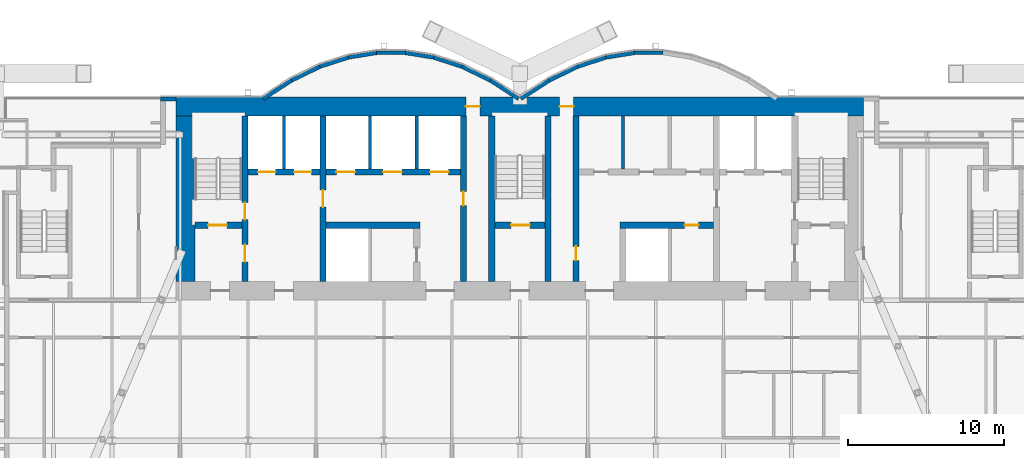
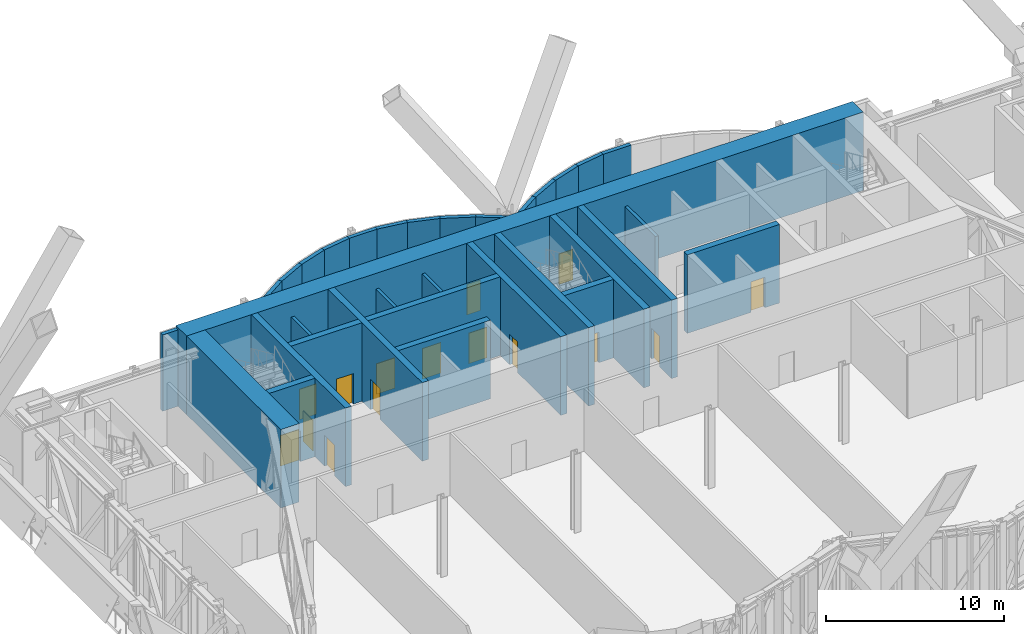
# One storey, part 27 of 32: 32 walls, 15 doors, 15 openings.
"""IFC4 building model written with IfcOpenShell, lengths in metres."""

from ifc_helpers import new_model, si_unit, direction, frame, frame_2d, origin, place, context, subcontext, project, spatial, rectangle, extrude, material, layer, layer_set, layer_usage, type_object, element, fill, save


model = new_model("IFC4")

# Units and contexts
model_context = context("Model", 3, precision=1e-05, world=origin(), true_north=direction((0.0, 1.0)))
body_context = subcontext(model_context, "Body", "Model", "MODEL_VIEW")
ifc_project = project(units=[si_unit("LENGTHUNIT", "METRE"), si_unit("AREAUNIT", "SQUARE_METRE"), si_unit("VOLUMEUNIT", "CUBIC_METRE"), si_unit("PLANEANGLEUNIT", "RADIAN"), si_unit("MASSUNIT", "GRAM", prefix="KILO")], contexts=[model_context])

# Site, building, storey
site_placement = place(None, origin())
site = spatial("IfcSite", under=ifc_project, at=site_placement, CompositionType="ELEMENT")
building_placement = place(site_placement, origin())
building = spatial("IfcBuilding", under=site, at=building_placement, Name="Bicima Exchange Tower", CompositionType="ELEMENT")
storey_placement = place(building_placement, frame((0.0, 0.0, 84.5)))
storey = spatial("IfcBuildingStorey", under=building, at=storey_placement, Name="L17", CompositionType="ELEMENT", Elevation=84.5)

# Walls
ifc_material_1 = material(Name="Gypsum board partition")
ifc_layer_1 = layer(ifc_material_1, 0.199951171875)
ifc_layer_set_1 = layer_set([ifc_layer_1], Name="Gypsum board partition")
wall_type_1 = type_object("IfcWallType", Name="Fire-rated gypsum partition 200 EI120", PredefinedType="PARTITIONING", material=ifc_layer_set_1)
for number, where, z_axis, x_axis, name in (
    (1, (-15.10009765625, -4.60009765625, 0.0), (0.0, 0.0, 1.0), (0.0, 1.0, 0.0), "partition wall 9"),
    (2, (-9.60009765625, -4.60009765625, 0.0), (0.0, 0.0, 1.0), (0.0, 1.0, 0.0), "partition wall 12"),
    (3, (-6.60009765625, -4.60009765625, 0.0), (0.0, 0.0, 1.0), (0.0, 1.0, 0.0), "partition wall 14"),
):
    element("IfcWall", number, at=place(storey_placement, frame(where, z_axis=z_axis, x_axis=x_axis)), inside=storey, type_object=wall_type_1, Name=name, PredefinedType="PARTITIONING", context=body_context, shape_type="SweptSolid", body=[
        extrude(rectangle(XDim=3.400146484375, YDim=0.199951171875, at=frame_2d((1.7001953125, 0.0))), origin(), (0.0, 0.0, 1.0), 4.318115234375),
    ])
ifc_layer_2 = layer(ifc_material_1, 0.199951171875)
ifc_layer_set_2 = layer_set([ifc_layer_2], Name="Gypsum board partition")
wall_type_2 = type_object("IfcWallType", Name="Fire-rated gypsum partition 200 EI60", PredefinedType="PARTITIONING", material=ifc_layer_set_2)
wall_1_placement = place(storey_placement, frame((6.60009765625, -4.60009765625, 0.0), z_axis=(0.0, 0.0, 1.0), x_axis=(0.0, 1.0, 0.0)))
element("IfcWall", 4, at=wall_1_placement, inside=storey, type_object=wall_type_2, Name="partition wall 20", PredefinedType="PARTITIONING", context=body_context, shape_type="SweptSolid", body=[
    extrude(rectangle(XDim=3.400146484375, YDim=0.199951171875, at=frame_2d((1.7001953125, 0.0))), origin(), (0.0, 0.0, 1.0), 4.318115234375),
])

# Wall, openings, doors
ifc_material_2 = material(Name="Concrete C60/75", Category="concrete")
ifc_layer_3 = layer(ifc_material_2, 1.199951171875)
ifc_layer_set_3 = layer_set([ifc_layer_3], Name="Concrete C60/75")
wall_type_3 = type_object("IfcWallType", Name="RC core wall 1200 C60/75", PredefinedType="SHEAR", material=ifc_layer_set_3)
wall_2_placement = place(storey_placement, frame((-22.0, -0.60009765625, 0.0), z_axis=(0.0, 0.0, 1.0), x_axis=(1.0, 0.0, 0.0)))
wall_2 = element("IfcWall", 5, at=wall_2_placement, inside=storey, type_object=wall_type_3, Name="Core wall north", PredefinedType="SHEAR", context=body_context, shape_type="SweptSolid", body=[
    extrude(rectangle(XDim=44.0, YDim=1.199951171875, at=frame_2d((22.0, 0.0))), origin(), (0.0, 0.0, 1.0), 5.39990234375),
])
opening_1_placement = place(wall_2_placement, frame((18.550048828125, 0.0, 0.0)))
opening_1 = element("IfcOpeningElement", 6, at=opening_1_placement, cuts=wall_2, Name="Opening L17-C17", PredefinedType="OPENING", context=body_context, shape_type="SweptSolid", body=[
    extrude(rectangle(XDim=0.89990234375, YDim=2.10009765625, at=frame_2d((0.449951171875, 1.050048828125))), frame((0.0, 0.61181640625, 0.0), z_axis=(0.0, -1.0, 0.0), x_axis=(1.0, 0.0, 0.0)), (0.0, 0.0, 1.0), 1.223876953125),
])
opening_2_placement = place(wall_2_placement, frame((24.550048828125, 0.0, 0.0)))
opening_2 = element("IfcOpeningElement", 7, at=opening_2_placement, cuts=wall_2, Name="Opening L17-C18", PredefinedType="OPENING", context=body_context, shape_type="SweptSolid", body=[
    extrude(rectangle(XDim=0.89990234375, YDim=2.10009765625, at=frame_2d((0.449951171875, 1.050048828125))), frame((0.0, 0.61181640625, 0.0), z_axis=(0.0, -1.0, 0.0), x_axis=(1.0, 0.0, 0.0)), (0.0, 0.0, 1.0), 1.223876953125),
])
ifc_material_3 = material(Name="Steel fire door leaf", Category="steel")
door_type_1 = type_object("IfcDoorType", Name="Door 900 swing FD30S", OperationType="SINGLE_SWING_LEFT", PredefinedType="DOOR", material=ifc_material_3)
door_1_placement = place(opening_1_placement, origin())
door_1 = element("IfcDoor", 8, at=door_1_placement, inside=storey, type_object=door_type_1, Name="Core door", OperationType="SINGLE_SWING_LEFT", OverallHeight=2.10009765625, OverallWidth=0.89990234375, PredefinedType="DOOR", context=body_context, shape_type="SweptSolid", body=[
    extrude(rectangle(XDim=0.89990234375, YDim=2.10009765625, at=frame_2d((0.449951171875, 1.050048828125))), frame((0.0, 0.02490234375, 0.0), z_axis=(0.0, -1.0, 0.0), x_axis=(1.0, 0.0, 0.0)), (0.0, 0.0, 1.0), 0.050048828125),
])
fill(opening_1, door_1)
door_2_placement = place(opening_2_placement, origin())
door_2 = element("IfcDoor", 9, at=door_2_placement, inside=storey, type_object=door_type_1, Name="Core door", OperationType="SINGLE_SWING_LEFT", OverallHeight=2.10009765625, OverallWidth=0.89990234375, PredefinedType="DOOR", context=body_context, shape_type="SweptSolid", body=[
    extrude(rectangle(XDim=0.89990234375, YDim=2.10009765625, at=frame_2d((0.449951171875, 1.050048828125))), frame((0.0, 0.02490234375, 0.0), z_axis=(0.0, -1.0, 0.0), x_axis=(1.0, 0.0, 0.0)), (0.0, 0.0, 1.0), 0.050048828125),
])
fill(opening_2, door_2)

# Wall
wall_3_placement = place(storey_placement, frame((-21.39990234375, -11.800048828125, 0.0), z_axis=(0.0, 0.0, 1.0), x_axis=(0.0, 1.0, 0.0)))
element("IfcWall", 10, at=wall_3_placement, inside=storey, type_object=wall_type_3, Name="Core wall west", PredefinedType="SHEAR", context=body_context, shape_type="SweptSolid", body=[
    extrude(rectangle(XDim=10.60009765625, YDim=1.199951171875, at=frame_2d((5.300048828125, 0.0))), origin(), (0.0, 0.0, 1.0), 5.39990234375),
])

# Wall, opening, door
ifc_material_4 = material(Name="Concrete C50/60", Category="concrete")
ifc_layer_4 = layer(ifc_material_4, 0.39990234375)
ifc_layer_set_4 = layer_set([ifc_layer_4], Name="Concrete C50/60")
wall_type_4 = type_object("IfcWallType", Name="RC core wall 400 C50/60", PredefinedType="SHEAR", material=ifc_layer_set_4)
wall_4_placement = place(storey_placement, frame((-20.800048828125, -8.199951171875, 0.0), z_axis=(0.0, 0.0, 1.0), x_axis=(1.0, 0.0, 0.0)))
wall_4 = element("IfcWall", 11, at=wall_4_placement, inside=storey, type_object=wall_type_4, Name="stair wall 1", PredefinedType="SHEAR", context=body_context, shape_type="SweptSolid", body=[
    extrude(rectangle(XDim=3.0, YDim=0.39990234375, at=frame_2d((1.5, 0.0))), origin(), (0.0, 0.0, 1.0), 5.39990234375),
])
opening_3_placement = place(wall_4_placement, frame((0.85009765625, 0.0, 0.0)))
opening_3 = element("IfcOpeningElement", 12, at=opening_3_placement, cuts=wall_4, Name="Opening L17-C01", PredefinedType="OPENING", context=body_context, shape_type="SweptSolid", body=[
    extrude(rectangle(XDim=1.199951171875, YDim=2.10009765625, at=frame_2d((0.60009765625, 1.050048828125))), frame((0.0, 0.2119140625, 0.0), z_axis=(0.0, -1.0, 0.0), x_axis=(1.0, 0.0, 0.0)), (0.0, 0.0, 1.0), 0.423828125),
])
door_type_2 = type_object("IfcDoorType", Name="Door 1200 swing FD60S", OperationType="SINGLE_SWING_LEFT", PredefinedType="DOOR", material=ifc_material_3)
door_3_placement = place(opening_3_placement, origin())
door_3 = element("IfcDoor", 13, at=door_3_placement, inside=storey, type_object=door_type_2, Name="Core door", OperationType="SINGLE_SWING_LEFT", OverallHeight=2.10009765625, OverallWidth=1.199951171875, PredefinedType="DOOR", context=body_context, shape_type="SweptSolid", body=[
    extrude(rectangle(XDim=1.199951171875, YDim=2.10009765625, at=frame_2d((0.60009765625, 1.050048828125))), frame((0.0, 0.02490234375, 0.0), z_axis=(0.0, -1.0, 0.0), x_axis=(1.0, 0.0, 0.0)), (0.0, 0.0, 1.0), 0.050048828125),
])
fill(opening_3, door_3)

wall_5_placement = place(storey_placement, frame((-1.60009765625, -8.199951171875, 0.0), z_axis=(0.0, 0.0, 1.0), x_axis=(1.0, 0.0, 0.0)))
wall_5 = element("IfcWall", 14, at=wall_5_placement, inside=storey, type_object=wall_type_4, Name="stair wall 3", PredefinedType="SHEAR", context=body_context, shape_type="SweptSolid", body=[
    extrude(rectangle(XDim=3.2001953125, YDim=0.39990234375, at=frame_2d((1.60009765625, 0.0))), origin(), (0.0, 0.0, 1.0), 5.39990234375),
])
opening_4_placement = place(wall_5_placement, frame((1.050048828125, 0.0, 0.0)))
opening_4 = element("IfcOpeningElement", 15, at=opening_4_placement, cuts=wall_5, Name="Opening L17-C03", PredefinedType="OPENING", context=body_context, shape_type="SweptSolid", body=[
    extrude(rectangle(XDim=1.199951171875, YDim=2.10009765625, at=frame_2d((0.60009765625, 1.050048828125))), frame((0.0, 0.2119140625, 0.0), z_axis=(0.0, -1.0, 0.0), x_axis=(1.0, 0.0, 0.0)), (0.0, 0.0, 1.0), 0.423828125),
])
door_4_placement = place(opening_4_placement, origin())
door_4 = element("IfcDoor", 16, at=door_4_placement, inside=storey, type_object=door_type_2, Name="Core door", OperationType="SINGLE_SWING_LEFT", OverallHeight=2.10009765625, OverallWidth=1.199951171875, PredefinedType="DOOR", context=body_context, shape_type="SweptSolid", body=[
    extrude(rectangle(XDim=1.199951171875, YDim=2.10009765625, at=frame_2d((0.60009765625, 1.050048828125))), frame((0.0, 0.02490234375, 0.0), z_axis=(0.0, -1.0, 0.0), x_axis=(1.0, 0.0, 0.0)), (0.0, 0.0, 1.0), 0.050048828125),
])
fill(opening_4, door_4)

# Wall, openings, doors
wall_6_placement = place(storey_placement, frame((-17.60009765625, -11.800048828125, 0.0), z_axis=(0.0, 0.0, 1.0), x_axis=(0.0, 1.0, 0.0)))
wall_6 = element("IfcWall", 17, at=wall_6_placement, inside=storey, type_object=wall_type_4, Name="stair wall 8", PredefinedType="SHEAR", context=body_context, shape_type="SweptSolid", body=[
    extrude(rectangle(XDim=10.60009765625, YDim=0.39990234375, at=frame_2d((5.300048828125, 0.0))), origin(), (0.0, 0.0, 1.0), 5.39990234375),
])
opening_5_placement = place(wall_6_placement, frame((1.25, 0.0, 0.0)))
opening_5 = element("IfcOpeningElement", 18, at=opening_5_placement, cuts=wall_6, Name="Opening L17-C02", PredefinedType="OPENING", context=body_context, shape_type="SweptSolid", body=[
    extrude(rectangle(XDim=1.10009765625, YDim=2.10009765625, at=frame_2d((0.550048828125, 1.050048828125))), frame((0.0, 0.2119140625, 0.0), z_axis=(0.0, -1.0, 0.0), x_axis=(1.0, 0.0, 0.0)), (0.0, 0.0, 1.0), 0.423828125),
])
opening_6_placement = place(wall_6_placement, frame((3.949951171875, 0.0, 0.0)))
opening_6 = element("IfcOpeningElement", 19, at=opening_6_placement, cuts=wall_6, Name="Opening L17-C06", PredefinedType="OPENING", context=body_context, shape_type="SweptSolid", body=[
    extrude(rectangle(XDim=1.10009765625, YDim=2.10009765625, at=frame_2d((0.550048828125, 1.050048828125))), frame((0.0, 0.2119140625, 0.0), z_axis=(0.0, -1.0, 0.0), x_axis=(1.0, 0.0, 0.0)), (0.0, 0.0, 1.0), 0.423828125),
])
door_type_3 = type_object("IfcDoorType", Name="Door 1100 swing FD60S", OperationType="SINGLE_SWING_LEFT", PredefinedType="DOOR", material=ifc_material_3)
door_5_placement = place(opening_5_placement, frame((1.10009765625, 0.0, 0.0), z_axis=(0.0, 0.0, 1.0), x_axis=(-1.0, 0.0, 0.0)))
door_5 = element("IfcDoor", 20, at=door_5_placement, inside=storey, type_object=door_type_3, Name="Core door", OperationType="SINGLE_SWING_LEFT", OverallHeight=2.10009765625, OverallWidth=1.10009765625, PredefinedType="DOOR", context=body_context, shape_type="SweptSolid", body=[
    extrude(rectangle(XDim=1.10009765625, YDim=2.10009765625, at=frame_2d((0.550048828125, 1.050048828125))), frame((0.0, 0.02490234375, 0.0), z_axis=(0.0, -1.0, 0.0), x_axis=(1.0, 0.0, 0.0)), (0.0, 0.0, 1.0), 0.050048828125),
])
fill(opening_5, door_5)
door_6_placement = place(opening_6_placement, frame((1.10009765625, 0.0, 0.0), z_axis=(0.0, 0.0, 1.0), x_axis=(-1.0, 0.0, 0.0)))
door_6 = element("IfcDoor", 21, at=door_6_placement, inside=storey, type_object=door_type_3, Name="Core door", OperationType="SINGLE_SWING_LEFT", OverallHeight=2.10009765625, OverallWidth=1.10009765625, PredefinedType="DOOR", context=body_context, shape_type="SweptSolid", body=[
    extrude(rectangle(XDim=1.10009765625, YDim=2.10009765625, at=frame_2d((0.550048828125, 1.050048828125))), frame((0.0, 0.02490234375, 0.0), z_axis=(0.0, -1.0, 0.0), x_axis=(1.0, 0.0, 0.0)), (0.0, 0.0, 1.0), 0.050048828125),
])
fill(opening_6, door_6)

# Walls
for number, where, z_axis, x_axis, name in (
    (22, (-1.800048828125, -11.800048828125, 0.0), (0.0, 0.0, 1.0), (0.0, 1.0, 0.0), "stair wall 16"),
    (23, (1.800048828125, -11.800048828125, 0.0), (0.0, 0.0, 1.0), (0.0, 1.0, 0.0), "stair wall 17"),
):
    element("IfcWall", number, at=place(storey_placement, frame(where, z_axis=z_axis, x_axis=x_axis)), inside=storey, type_object=wall_type_4, Name=name, PredefinedType="SHEAR", context=body_context, shape_type="SweptSolid", body=[
        extrude(rectangle(XDim=10.60009765625, YDim=0.39990234375, at=frame_2d((5.300048828125, 0.0))), origin(), (0.0, 0.0, 1.0), 5.39990234375),
    ])
ifc_layer_5 = layer(ifc_material_2, 0.39990234375)
ifc_layer_set_5 = layer_set([ifc_layer_5], Name="Concrete C60/75")
wall_type_5 = type_object("IfcWallType", Name="RC core wall 400 C60/75", PredefinedType="SHEAR", material=ifc_layer_set_5)
wall_7_placement = place(storey_placement, frame((-12.39990234375, -8.199951171875, 0.0), z_axis=(0.0, 0.0, 1.0), x_axis=(1.0, 0.0, 0.0)))
element("IfcWall", 24, at=wall_7_placement, inside=storey, type_object=wall_type_5, Name="shear wall 2", PredefinedType="SHEAR", context=body_context, shape_type="SweptSolid", body=[
    extrude(rectangle(XDim=6.0, YDim=0.39990234375, at=frame_2d((3.0, 0.0))), origin(), (0.0, 0.0, 1.0), 5.39990234375),
])

# Wall, opening, door
wall_8_placement = place(storey_placement, frame((6.39990234375, -8.199951171875, 0.0), z_axis=(0.0, 0.0, 1.0), x_axis=(1.0, 0.0, 0.0)))
wall_8 = element("IfcWall", 25, at=wall_8_placement, inside=storey, type_object=wall_type_5, Name="shear wall 4", PredefinedType="SHEAR", context=body_context, shape_type="SweptSolid", body=[
    extrude(rectangle(XDim=6.0, YDim=0.39990234375, at=frame_2d((3.0, 0.0))), origin(), (0.0, 0.0, 1.0), 5.39990234375),
])
opening_7_placement = place(wall_8_placement, frame((4.14990234375, 0.0, 0.0)))
opening_7 = element("IfcOpeningElement", 26, at=opening_7_placement, cuts=wall_8, Name="Opening L17-C16", PredefinedType="OPENING", context=body_context, shape_type="SweptSolid", body=[
    extrude(rectangle(XDim=0.89990234375, YDim=2.10009765625, at=frame_2d((0.449951171875, 1.050048828125))), frame((0.0, 0.2119140625, 0.0), z_axis=(0.0, -1.0, 0.0), x_axis=(1.0, 0.0, 0.0)), (0.0, 0.0, 1.0), 0.423828125),
])
door_7_placement = place(opening_7_placement, frame((0.89990234375, 0.0, 0.0), z_axis=(0.0, 0.0, 1.0), x_axis=(-1.0, 0.0, 0.0)))
door_7 = element("IfcDoor", 27, at=door_7_placement, inside=storey, type_object=door_type_1, Name="Core door", OperationType="SINGLE_SWING_LEFT", OverallHeight=2.10009765625, OverallWidth=0.89990234375, PredefinedType="DOOR", context=body_context, shape_type="SweptSolid", body=[
    extrude(rectangle(XDim=0.89990234375, YDim=2.10009765625, at=frame_2d((0.449951171875, 1.050048828125))), frame((0.0, 0.02490234375, 0.0), z_axis=(0.0, -1.0, 0.0), x_axis=(1.0, 0.0, 0.0)), (0.0, 0.0, 1.0), 0.050048828125),
])
fill(opening_7, door_7)

# Wall, openings, doors
wall_9_placement = place(storey_placement, frame((-17.39990234375, -4.800048828125, 0.0), z_axis=(0.0, 0.0, 1.0), x_axis=(1.0, 0.0, 0.0)))
wall_9 = element("IfcWall", 28, at=wall_9_placement, inside=storey, type_object=wall_type_5, Name="shear wall 6", PredefinedType="SHEAR", context=body_context, shape_type="SweptSolid", body=[
    extrude(rectangle(XDim=13.599853515625, YDim=0.39990234375, at=frame_2d((6.7998046875, 0.0))), origin(), (0.0, 0.0, 1.0), 5.39990234375),
])
opening_8_placement = place(wall_9_placement, frame((0.64990234375, 0.0, 0.0)))
opening_8 = element("IfcOpeningElement", 29, at=opening_8_placement, cuts=wall_9, Name="Opening LD-FF1-L17", PredefinedType="OPENING", context=body_context, shape_type="SweptSolid", body=[
    extrude(rectangle(XDim=1.10009765625, YDim=2.10009765625, at=frame_2d((0.550048828125, 1.050048828125))), frame((0.0, 0.2119140625, 0.0), z_axis=(0.0, -1.0, 0.0), x_axis=(1.0, 0.0, 0.0)), (0.0, 0.0, 1.0), 0.423828125),
])
opening_9_placement = place(wall_9_placement, frame((2.949951171875, 0.0, 0.0)))
opening_9 = element("IfcOpeningElement", 30, at=opening_9_placement, cuts=wall_9, Name="Opening LD-FF3-L17", PredefinedType="OPENING", context=body_context, shape_type="SweptSolid", body=[
    extrude(rectangle(XDim=1.10009765625, YDim=2.10009765625, at=frame_2d((0.550048828125, 1.050048828125))), frame((0.0, 0.2119140625, 0.0), z_axis=(0.0, -1.0, 0.0), x_axis=(1.0, 0.0, 0.0)), (0.0, 0.0, 1.0), 0.423828125),
])
opening_10_placement = place(wall_9_placement, frame((5.64990234375, 0.0, 0.0)))
opening_10 = element("IfcOpeningElement", 31, at=opening_10_placement, cuts=wall_9, Name="Opening LD-LB1-L17", PredefinedType="OPENING", context=body_context, shape_type="SweptSolid", body=[
    extrude(rectangle(XDim=1.199951171875, YDim=2.10009765625, at=frame_2d((0.60009765625, 1.050048828125))), frame((0.0, 0.2119140625, 0.0), z_axis=(0.0, -1.0, 0.0), x_axis=(1.0, 0.0, 0.0)), (0.0, 0.0, 1.0), 0.423828125),
])
opening_11_placement = place(wall_9_placement, frame((8.64990234375, 0.0, 0.0)))
opening_11 = element("IfcOpeningElement", 32, at=opening_11_placement, cuts=wall_9, Name="Opening LD-LB2-L17", PredefinedType="OPENING", context=body_context, shape_type="SweptSolid", body=[
    extrude(rectangle(XDim=1.199951171875, YDim=2.10009765625, at=frame_2d((0.60009765625, 1.050048828125))), frame((0.0, 0.2119140625, 0.0), z_axis=(0.0, -1.0, 0.0), x_axis=(1.0, 0.0, 0.0)), (0.0, 0.0, 1.0), 0.423828125),
])
opening_12_placement = place(wall_9_placement, frame((11.64990234375, 0.0, 0.0)))
opening_12 = element("IfcOpeningElement", 33, at=opening_12_placement, cuts=wall_9, Name="Opening LD-LB3-L17", PredefinedType="OPENING", context=body_context, shape_type="SweptSolid", body=[
    extrude(rectangle(XDim=1.199951171875, YDim=2.10009765625, at=frame_2d((0.60009765625, 1.050048828125))), frame((0.0, 0.2119140625, 0.0), z_axis=(0.0, -1.0, 0.0), x_axis=(1.0, 0.0, 0.0)), (0.0, 0.0, 1.0), 0.423828125),
])
ifc_material_5 = material(Name="Stainless steel", Category="steel")
door_type_4 = type_object("IfcDoorType", Name="Lift landing door 1100 sliding", OperationType="DOUBLE_DOOR_SLIDING", PredefinedType="DOOR", material=ifc_material_5)
door_8_placement = place(opening_8_placement, origin())
door_8 = element("IfcDoor", 34, at=door_8_placement, inside=storey, type_object=door_type_4, Name="Lift landing door FF1", OperationType="DOUBLE_DOOR_SLIDING", OverallHeight=2.10009765625, OverallWidth=1.10009765625, PredefinedType="DOOR", context=body_context, shape_type="SweptSolid", body=[
    extrude(rectangle(XDim=1.10009765625, YDim=2.10009765625, at=frame_2d((0.550048828125, 1.050048828125))), frame((0.0, 0.02490234375, 0.0), z_axis=(0.0, -1.0, 0.0), x_axis=(1.0, 0.0, 0.0)), (0.0, 0.0, 1.0), 0.050048828125),
])
fill(opening_8, door_8)
door_9_placement = place(opening_9_placement, origin())
door_9 = element("IfcDoor", 35, at=door_9_placement, inside=storey, type_object=door_type_4, Name="Lift landing door FF3", OperationType="DOUBLE_DOOR_SLIDING", OverallHeight=2.10009765625, OverallWidth=1.10009765625, PredefinedType="DOOR", context=body_context, shape_type="SweptSolid", body=[
    extrude(rectangle(XDim=1.10009765625, YDim=2.10009765625, at=frame_2d((0.550048828125, 1.050048828125))), frame((0.0, 0.02490234375, 0.0), z_axis=(0.0, -1.0, 0.0), x_axis=(1.0, 0.0, 0.0)), (0.0, 0.0, 1.0), 0.050048828125),
])
fill(opening_9, door_9)
door_type_5 = type_object("IfcDoorType", Name="Lift landing door 1200 sliding", OperationType="DOUBLE_DOOR_SLIDING", PredefinedType="DOOR", material=ifc_material_5)
door_10_placement = place(opening_10_placement, origin())
door_10 = element("IfcDoor", 36, at=door_10_placement, inside=storey, type_object=door_type_5, Name="Lift landing door LB1", OperationType="DOUBLE_DOOR_SLIDING", OverallHeight=2.10009765625, OverallWidth=1.199951171875, PredefinedType="DOOR", context=body_context, shape_type="SweptSolid", body=[
    extrude(rectangle(XDim=1.199951171875, YDim=2.10009765625, at=frame_2d((0.60009765625, 1.050048828125))), frame((0.0, 0.02490234375, 0.0), z_axis=(0.0, -1.0, 0.0), x_axis=(1.0, 0.0, 0.0)), (0.0, 0.0, 1.0), 0.050048828125),
])
fill(opening_10, door_10)
door_11_placement = place(opening_11_placement, origin())
door_11 = element("IfcDoor", 37, at=door_11_placement, inside=storey, type_object=door_type_5, Name="Lift landing door LB2", OperationType="DOUBLE_DOOR_SLIDING", OverallHeight=2.10009765625, OverallWidth=1.199951171875, PredefinedType="DOOR", context=body_context, shape_type="SweptSolid", body=[
    extrude(rectangle(XDim=1.199951171875, YDim=2.10009765625, at=frame_2d((0.60009765625, 1.050048828125))), frame((0.0, 0.02490234375, 0.0), z_axis=(0.0, -1.0, 0.0), x_axis=(1.0, 0.0, 0.0)), (0.0, 0.0, 1.0), 0.050048828125),
])
fill(opening_11, door_11)
door_12_placement = place(opening_12_placement, origin())
door_12 = element("IfcDoor", 38, at=door_12_placement, inside=storey, type_object=door_type_5, Name="Lift landing door LB3", OperationType="DOUBLE_DOOR_SLIDING", OverallHeight=2.10009765625, OverallWidth=1.199951171875, PredefinedType="DOOR", context=body_context, shape_type="SweptSolid", body=[
    extrude(rectangle(XDim=1.199951171875, YDim=2.10009765625, at=frame_2d((0.60009765625, 1.050048828125))), frame((0.0, 0.02490234375, 0.0), z_axis=(0.0, -1.0, 0.0), x_axis=(1.0, 0.0, 0.0)), (0.0, 0.0, 1.0), 0.050048828125),
])
fill(opening_12, door_12)

# Wall, opening, door
wall_10_placement = place(storey_placement, frame((-12.60009765625, -11.800048828125, 0.0), z_axis=(0.0, 0.0, 1.0), x_axis=(0.0, 1.0, 0.0)))
wall_10 = element("IfcWall", 39, at=wall_10_placement, inside=storey, type_object=wall_type_5, Name="shear wall 10", PredefinedType="SHEAR", context=body_context, shape_type="SweptSolid", body=[
    extrude(rectangle(XDim=10.60009765625, YDim=0.39990234375, at=frame_2d((5.300048828125, 0.0))), origin(), (0.0, 0.0, 1.0), 5.39990234375),
])
opening_13_placement = place(wall_10_placement, frame((4.75, 0.0, 0.0)))
opening_13 = element("IfcOpeningElement", 40, at=opening_13_placement, cuts=wall_10, Name="Opening L17-C07", PredefinedType="OPENING", context=body_context, shape_type="SweptSolid", body=[
    extrude(rectangle(XDim=1.10009765625, YDim=2.10009765625, at=frame_2d((0.550048828125, 1.050048828125))), frame((0.0, 0.2119140625, 0.0), z_axis=(0.0, -1.0, 0.0), x_axis=(1.0, 0.0, 0.0)), (0.0, 0.0, 1.0), 0.423828125),
])
door_13_placement = place(opening_13_placement, origin())
door_13 = element("IfcDoor", 41, at=door_13_placement, inside=storey, type_object=door_type_3, Name="Core door", OperationType="SINGLE_SWING_LEFT", OverallHeight=2.10009765625, OverallWidth=1.10009765625, PredefinedType="DOOR", context=body_context, shape_type="SweptSolid", body=[
    extrude(rectangle(XDim=1.10009765625, YDim=2.10009765625, at=frame_2d((0.550048828125, 1.050048828125))), frame((0.0, 0.02490234375, 0.0), z_axis=(0.0, -1.0, 0.0), x_axis=(1.0, 0.0, 0.0)), (0.0, 0.0, 1.0), 0.050048828125),
])
fill(opening_13, door_13)

wall_11_placement = place(storey_placement, frame((-3.60009765625, -11.800048828125, 0.0), z_axis=(0.0, 0.0, 1.0), x_axis=(0.0, 1.0, 0.0)))
wall_11 = element("IfcWall", 42, at=wall_11_placement, inside=storey, type_object=wall_type_5, Name="shear wall 15", PredefinedType="SHEAR", context=body_context, shape_type="SweptSolid", body=[
    extrude(rectangle(XDim=10.60009765625, YDim=0.39990234375, at=frame_2d((5.300048828125, 0.0))), origin(), (0.0, 0.0, 1.0), 5.39990234375),
])
opening_14_placement = place(wall_11_placement, frame((4.85009765625, 0.0, 0.0)))
opening_14 = element("IfcOpeningElement", 43, at=opening_14_placement, cuts=wall_11, Name="Opening L17-C10", PredefinedType="OPENING", context=body_context, shape_type="SweptSolid", body=[
    extrude(rectangle(XDim=0.89990234375, YDim=2.10009765625, at=frame_2d((0.449951171875, 1.050048828125))), frame((0.0, 0.2119140625, 0.0), z_axis=(0.0, -1.0, 0.0), x_axis=(1.0, 0.0, 0.0)), (0.0, 0.0, 1.0), 0.423828125),
])
door_14_placement = place(opening_14_placement, frame((0.89990234375, 0.0, 0.0), z_axis=(0.0, 0.0, 1.0), x_axis=(-1.0, 0.0, 0.0)))
door_14 = element("IfcDoor", 44, at=door_14_placement, inside=storey, type_object=door_type_1, Name="Core door", OperationType="SINGLE_SWING_LEFT", OverallHeight=2.10009765625, OverallWidth=0.89990234375, PredefinedType="DOOR", context=body_context, shape_type="SweptSolid", body=[
    extrude(rectangle(XDim=0.89990234375, YDim=2.10009765625, at=frame_2d((0.449951171875, 1.050048828125))), frame((0.0, 0.02490234375, 0.0), z_axis=(0.0, -1.0, 0.0), x_axis=(1.0, 0.0, 0.0)), (0.0, 0.0, 1.0), 0.050048828125),
])
fill(opening_14, door_14)

wall_12_placement = place(storey_placement, frame((3.60009765625, -11.800048828125, 0.0), z_axis=(0.0, 0.0, 1.0), x_axis=(0.0, 1.0, 0.0)))
wall_12 = element("IfcWall", 45, at=wall_12_placement, inside=storey, type_object=wall_type_5, Name="shear wall 18", PredefinedType="SHEAR", context=body_context, shape_type="SweptSolid", body=[
    extrude(rectangle(XDim=10.60009765625, YDim=0.39990234375, at=frame_2d((5.300048828125, 0.0))), origin(), (0.0, 0.0, 1.0), 5.39990234375),
])
opening_15_placement = place(wall_12_placement, frame((1.35009765625, 0.0, 0.0)))
opening_15 = element("IfcOpeningElement", 46, at=opening_15_placement, cuts=wall_12, Name="Opening L17-C11", PredefinedType="OPENING", context=body_context, shape_type="SweptSolid", body=[
    extrude(rectangle(XDim=0.89990234375, YDim=2.10009765625, at=frame_2d((0.449951171875, 1.050048828125))), frame((0.0, 0.2119140625, 0.0), z_axis=(0.0, -1.0, 0.0), x_axis=(1.0, 0.0, 0.0)), (0.0, 0.0, 1.0), 0.423828125),
])
door_15_placement = place(opening_15_placement, origin())
door_15 = element("IfcDoor", 47, at=door_15_placement, inside=storey, type_object=door_type_1, Name="Core door", OperationType="SINGLE_SWING_LEFT", OverallHeight=2.10009765625, OverallWidth=0.89990234375, PredefinedType="DOOR", context=body_context, shape_type="SweptSolid", body=[
    extrude(rectangle(XDim=0.89990234375, YDim=2.10009765625, at=frame_2d((0.449951171875, 1.050048828125))), frame((0.0, 0.02490234375, 0.0), z_axis=(0.0, -1.0, 0.0), x_axis=(1.0, 0.0, 0.0)), (0.0, 0.0, 1.0), 0.050048828125),
])
fill(opening_15, door_15)

# Walls
ifc_material_6 = material(Name="Concrete C40/50", Category="concrete")
ifc_layer_6 = layer(ifc_material_6, 0.25)
ifc_layer_set_6 = layer_set([ifc_layer_6], Name="Concrete C40/50")
ifc_layer_usage = layer_usage(ifc_layer_set_6, "AXIS2", "POSITIVE", -0.125)
wall_type_6 = type_object("IfcWallType", Name="Rear backup wall 250", PredefinedType="STANDARD", material=ifc_layer_set_6)
wall_13_placement = place(storey_placement, frame((9.166748046875, 2.837890625, 0.0), z_axis=(0.0, 0.0, 1.0), x_axis=(-1.0, 0.0, 0.0)))
element("IfcWall", 48, at=wall_13_placement, inside=storey, type_object=wall_type_6, material=ifc_layer_usage, Name="Rear backup wall L17 12", PredefinedType="STANDARD", context=body_context, shape_type="SweptSolid", body=[
    extrude(rectangle(XDim=1.83349609375, YDim=0.25, at=frame_2d((0.916748046875, 0.0))), origin(), (0.0, 0.0, 1.0), 5.25),
])
wall_14_placement = place(storey_placement, frame((7.353271484375, 2.839599609375, 0.0), z_axis=(0.0, 0.0, 1.0), x_axis=(-0.987181718931, -0.159600293885, 0.0)))
element("IfcWall", 49, at=wall_14_placement, inside=storey, type_object=wall_type_6, material=ifc_layer_usage, Name="Rear backup wall L17 13", PredefinedType="STANDARD", context=body_context, shape_type="SweptSolid", body=[
    extrude(rectangle(XDim=1.857177734375, YDim=0.25, at=frame_2d((0.9287109375, 0.0))), origin(), (0.0, 0.0, 1.0), 5.25),
])
wall_15_placement = place(storey_placement, frame((5.538330078125, 2.5478515625, 0.0), z_axis=(0.0, 0.0, 1.0), x_axis=(-0.951495806175, -0.307661714928, 0.0)))
element("IfcWall", 50, at=wall_15_placement, inside=storey, type_object=wall_type_6, material=ifc_layer_usage, Name="Rear backup wall L17 14", PredefinedType="STANDARD", context=body_context, shape_type="SweptSolid", body=[
    extrude(rectangle(XDim=1.9267578125, YDim=0.25, at=frame_2d((0.96337890625, 0.0))), origin(), (0.0, 0.0, 1.0), 5.25),
])
wall_16_placement = place(storey_placement, frame((3.72119140625, 1.961669921875, 0.0), z_axis=(0.0, 0.0, 1.0), x_axis=(-0.89982408427, -0.436252928206, 0.0)))
element("IfcWall", 51, at=wall_16_placement, inside=storey, type_object=wall_type_6, material=ifc_layer_usage, Name="Rear backup wall L17 15", PredefinedType="STANDARD", context=body_context, shape_type="SweptSolid", body=[
    extrude(rectangle(XDim=2.03759765625, YDim=0.25, at=frame_2d((1.018798828125, 0.0))), origin(), (0.0, 0.0, 1.0), 5.25),
])
for number, where, z_axis, x_axis, name in (
    (52, (1.901123046875, 1.080078125, 0.0), (0.0, 0.0, 1.0), (-0.83981312244, -0.542875602121, 0.0), "Rear backup wall L17 16"),
    (53, (-0.06787109375, -0.10498046875, 0.0), (0.0, 0.0, 1.0), (-0.83981312244, 0.542875602121, 0.0), "Rear backup wall L17 17"),
):
    element("IfcWall", number, at=place(storey_placement, frame(where, z_axis=z_axis, x_axis=x_axis)), inside=storey, type_object=wall_type_6, material=ifc_layer_usage, Name=name, PredefinedType="STANDARD", context=body_context, shape_type="SweptSolid", body=[
        extrude(rectangle(XDim=2.182861328125, YDim=0.25, at=frame_2d((1.09130859375, 0.0))), origin(), (0.0, 0.0, 1.0), 5.25),
    ])
wall_17_placement = place(storey_placement, frame((-1.8876953125, 1.07275390625, 0.0), z_axis=(0.0, 0.0, 1.0), x_axis=(-0.89982408427, 0.436252928206, 0.0)))
element("IfcWall", 54, at=wall_17_placement, inside=storey, type_object=wall_type_6, material=ifc_layer_usage, Name="Rear backup wall L17 18", PredefinedType="STANDARD", context=body_context, shape_type="SweptSolid", body=[
    extrude(rectangle(XDim=2.03759765625, YDim=0.25, at=frame_2d((1.018798828125, 0.0))), origin(), (0.0, 0.0, 1.0), 5.25),
])
wall_18_placement = place(storey_placement, frame((-3.705078125, 1.955078125, 0.0), z_axis=(0.0, 0.0, 1.0), x_axis=(-0.951495806175, 0.307661714928, 0.0)))
element("IfcWall", 55, at=wall_18_placement, inside=storey, type_object=wall_type_6, material=ifc_layer_usage, Name="Rear backup wall L17 19", PredefinedType="STANDARD", context=body_context, shape_type="SweptSolid", body=[
    extrude(rectangle(XDim=1.9267578125, YDim=0.25, at=frame_2d((0.96337890625, 0.0))), origin(), (0.0, 0.0, 1.0), 5.25),
])
wall_19_placement = place(storey_placement, frame((-5.52001953125, 2.543212890625, 0.0), z_axis=(0.0, 0.0, 1.0), x_axis=(-0.987181718931, 0.159600293885, 0.0)))
element("IfcWall", 56, at=wall_19_placement, inside=storey, type_object=wall_type_6, material=ifc_layer_usage, Name="Rear backup wall L17 20", PredefinedType="STANDARD", context=body_context, shape_type="SweptSolid", body=[
    extrude(rectangle(XDim=1.857177734375, YDim=0.25, at=frame_2d((0.9287109375, 0.0))), origin(), (0.0, 0.0, 1.0), 5.25),
])
wall_20_placement = place(storey_placement, frame((-7.333251953125, 2.837890625, 0.0), z_axis=(0.0, 0.0, 1.0), x_axis=(-1.0, 0.0, 0.0)))
element("IfcWall", 57, at=wall_20_placement, inside=storey, type_object=wall_type_6, material=ifc_layer_usage, Name="Rear backup wall L17 21", PredefinedType="STANDARD", context=body_context, shape_type="SweptSolid", body=[
    extrude(rectangle(XDim=1.83349609375, YDim=0.25, at=frame_2d((0.916748046875, 0.0))), origin(), (0.0, 0.0, 1.0), 5.25),
])
wall_21_placement = place(storey_placement, frame((-9.146728515625, 2.839599609375, 0.0), z_axis=(0.0, 0.0, 1.0), x_axis=(-0.987181718931, -0.159600293885, 0.0)))
element("IfcWall", 58, at=wall_21_placement, inside=storey, type_object=wall_type_6, material=ifc_layer_usage, Name="Rear backup wall L17 22", PredefinedType="STANDARD", context=body_context, shape_type="SweptSolid", body=[
    extrude(rectangle(XDim=1.857177734375, YDim=0.25, at=frame_2d((0.9287109375, 0.0))), origin(), (0.0, 0.0, 1.0), 5.25),
])
wall_22_placement = place(storey_placement, frame((-10.961669921875, 2.5478515625, 0.0), z_axis=(0.0, 0.0, 1.0), x_axis=(-0.951495806175, -0.307661714928, 0.0)))
element("IfcWall", 59, at=wall_22_placement, inside=storey, type_object=wall_type_6, material=ifc_layer_usage, Name="Rear backup wall L17 23", PredefinedType="STANDARD", context=body_context, shape_type="SweptSolid", body=[
    extrude(rectangle(XDim=1.9267578125, YDim=0.25, at=frame_2d((0.96337890625, 0.0))), origin(), (0.0, 0.0, 1.0), 5.25),
])
wall_23_placement = place(storey_placement, frame((-12.77880859375, 1.961669921875, 0.0), z_axis=(0.0, 0.0, 1.0), x_axis=(-0.89982408427, -0.436252928206, 0.0)))
element("IfcWall", 60, at=wall_23_placement, inside=storey, type_object=wall_type_6, material=ifc_layer_usage, Name="Rear backup wall L17 24", PredefinedType="STANDARD", context=body_context, shape_type="SweptSolid", body=[
    extrude(rectangle(XDim=2.03759765625, YDim=0.25, at=frame_2d((1.018798828125, 0.0))), origin(), (0.0, 0.0, 1.0), 5.25),
])
wall_24_placement = place(storey_placement, frame((-14.598876953125, 1.080078125, 0.0), z_axis=(0.0, 0.0, 1.0), x_axis=(-0.83981312244, -0.542875602121, 0.0)))
element("IfcWall", 61, at=wall_24_placement, inside=storey, type_object=wall_type_6, material=ifc_layer_usage, Name="Rear backup wall L17 25", PredefinedType="STANDARD", context=body_context, shape_type="SweptSolid", body=[
    extrude(rectangle(XDim=2.182861328125, YDim=0.25, at=frame_2d((1.09130859375, 0.0))), origin(), (0.0, 0.0, 1.0), 5.25),
])
wall_25_placement = place(storey_placement, frame((-22.0, -0.125, 0.0), z_axis=(0.0, 0.0, 1.0), x_axis=(-1.0, 0.0, 0.0)))
element("IfcWall", 62, at=wall_25_placement, inside=storey, type_object=wall_type_6, material=ifc_layer_usage, Name="Rear backup wall L17 26", PredefinedType="STANDARD", context=body_context, shape_type="SweptSolid", body=[
    extrude(rectangle(XDim=1.0, YDim=0.25, at=frame_2d((0.5, 0.0))), origin(), (0.0, 0.0, 1.0), 5.25),
])

save(model, "model.ifc")
